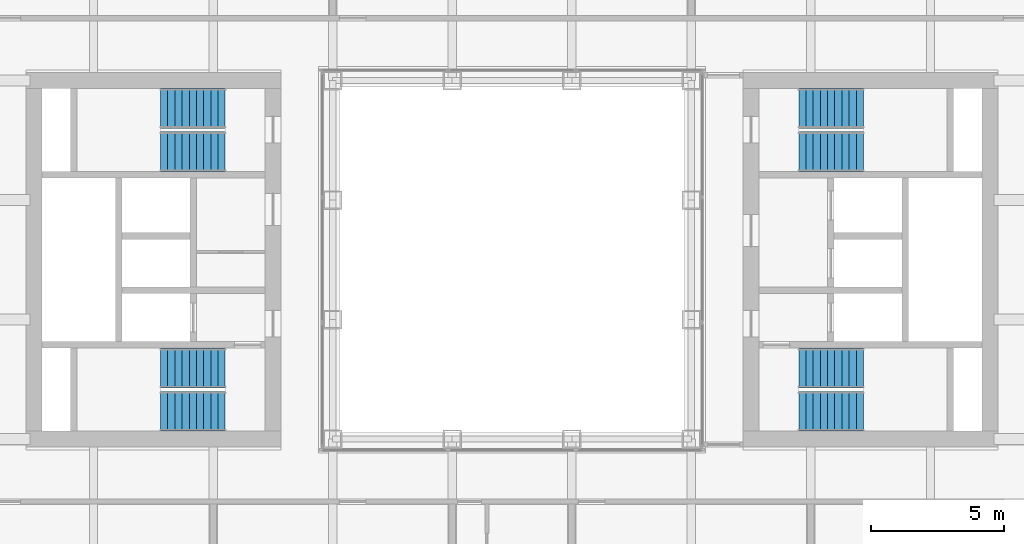
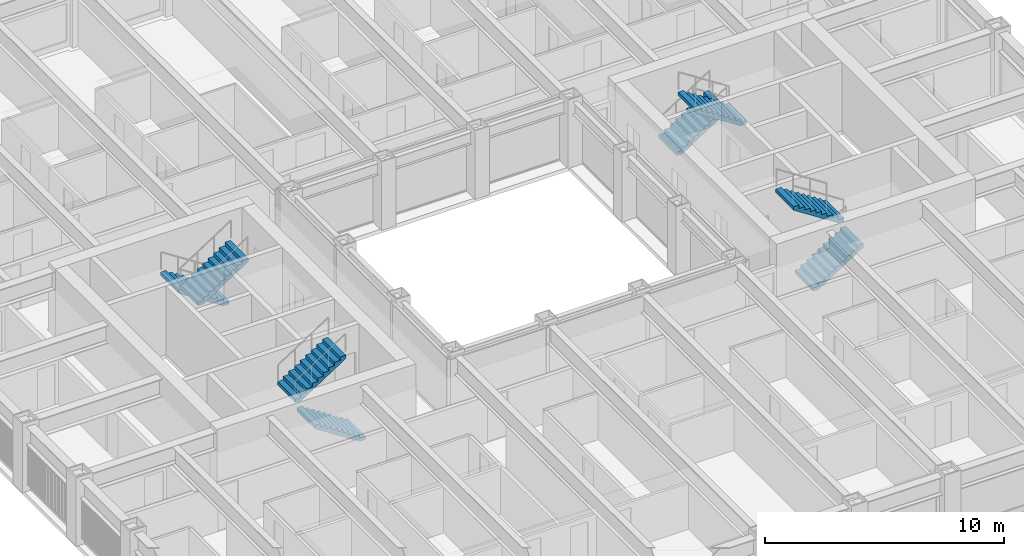
# One storey, part 16 of 21: 8 stair flights, 4 elements without a shape of their own.
"""IFC4 building model written with IfcOpenShell, lengths in metres."""

from ifc_helpers import new_model, si_unit, direction, frame, origin, place, context, subcontext, project, spatial, polyline, outline, extrude, material, type_object, element, aggregate, save


model = new_model("IFC4")

# Units and contexts
model_context = context("Model", 3, precision=1e-05, world=origin(), true_north=direction((0.0, 1.0)))
body_context = subcontext(model_context, "Body", "Model", "MODEL_VIEW")
ifc_project = project(units=[si_unit("LENGTHUNIT", "METRE"), si_unit("AREAUNIT", "SQUARE_METRE"), si_unit("VOLUMEUNIT", "CUBIC_METRE"), si_unit("PLANEANGLEUNIT", "RADIAN"), si_unit("MASSUNIT", "GRAM", prefix="KILO")], contexts=[model_context])

# Site, building, storey
site_placement = place(None, origin())
site = spatial("IfcSite", under=ifc_project, at=site_placement, CompositionType="ELEMENT")
building_placement = place(site_placement, origin())
building = spatial("IfcBuilding", under=site, at=building_placement, Name="Msasa Ring Tower", CompositionType="ELEMENT")
storey_placement = place(building_placement, frame((0.0, 0.0, 75.5)))
storey = spatial("IfcBuildingStorey", under=building, at=storey_placement, Name="L19", CompositionType="ELEMENT", Elevation=75.5)

# Stair, stair flights
ifc_material_1 = material(Name="Concrete C40/50", Category="concrete")
stair_type = type_object("IfcStairType", Name="STC CORE STAIR 20 RISERS 175", PredefinedType="HALF_TURN_STAIR", material=ifc_material_1)
stair_1_placement = place(storey_placement, origin())
stair_1 = element("IfcStair", 1, at=stair_1_placement, inside=storey, type_object=stair_type, Name="Core stair SEA L19", PredefinedType="HALF_TURN_STAIR")
ifc_material_2 = material(Name="Concrete C40/50", Category="concrete")
stair_flight_type = type_object("IfcStairFlightType", Name="ST12 CORE STAIR FLIGHT 1500 10 RISERS 175", PredefinedType="STRAIGHT", material=ifc_material_2)
stair_flight_1_placement = place(storey_placement, frame((10.800048828125, -5.699951171875, 0.0), z_axis=(0.0, 0.0, 1.0), x_axis=(1.0, 0.0, 0.0)))
stair_flight_1 = element("IfcStairFlight", 2, at=stair_flight_1_placement, type_object=stair_flight_type, Name="SEA flight 1", NumberOfRisers=10, NumberOfTreads=9, PredefinedType="STRAIGHT", RiserHeight=0.175, TreadLength=0.27, context=body_context, shape_type="SweptSolid", body=[
    extrude(outline(polyline([(0.0, 0.0), (0.0, 0.175048828125), (0.27001953125, 0.175048828125), (0.27001953125, 0.35009765625), (0.5400390625, 0.35009765625), (0.5400390625, 0.52490234375), (0.81005859375, 0.52490234375), (0.81005859375, 0.699951171875), (1.080078125, 0.699951171875), (1.080078125, 0.875), (1.35009765625, 0.875), (1.35009765625, 1.050048828125), (1.6201171875, 1.050048828125), (1.6201171875, 1.22509765625), (1.889892578125, 1.22509765625), (1.889892578125, 1.39990234375), (2.159912109375, 1.39990234375), (2.159912109375, 1.574951171875), (2.429931640625, 1.574951171875), (2.429931640625, 1.75), (2.429931640625, 1.396484375), (0.275634765625, 0.0), (0.0, 0.0)])), frame((0.0, 0.75, 0.0), z_axis=(0.0, -1.0, 0.0), x_axis=(1.0, 0.0, 0.0)), (0.0, 0.0, 1.0), 1.5),
])
stair_flight_2_placement = place(storey_placement, frame((13.22998046875, -4.074951171875, 1.75), z_axis=(0.0, 0.0, 1.0), x_axis=(-1.0, 0.0, 0.0)))
stair_flight_2 = element("IfcStairFlight", 3, at=stair_flight_2_placement, type_object=stair_flight_type, Name="SEA flight 2", NumberOfRisers=10, NumberOfTreads=9, PredefinedType="STRAIGHT", RiserHeight=0.175, TreadLength=0.27, context=body_context, shape_type="SweptSolid", body=[
    extrude(outline(polyline([(0.0, 0.0), (0.0, 0.175048828125), (0.27001953125, 0.175048828125), (0.27001953125, 0.35009765625), (0.5400390625, 0.35009765625), (0.5400390625, 0.52490234375), (0.81005859375, 0.52490234375), (0.81005859375, 0.699951171875), (1.080078125, 0.699951171875), (1.080078125, 0.875), (1.35009765625, 0.875), (1.35009765625, 1.050048828125), (1.6201171875, 1.050048828125), (1.6201171875, 1.22509765625), (1.889892578125, 1.22509765625), (1.889892578125, 1.39990234375), (2.159912109375, 1.39990234375), (2.159912109375, 1.574951171875), (2.429931640625, 1.574951171875), (2.429931640625, 1.75), (2.429931640625, 1.396484375), (0.275634765625, 0.0), (0.0, 0.0)])), frame((0.0, 0.75, 0.0), z_axis=(0.0, -1.0, 0.0), x_axis=(1.0, 0.0, 0.0)), (0.0, 0.0, 1.0), 1.5),
])
aggregate(stair_1, [stair_flight_1, stair_flight_2])

stair_2_placement = place(storey_placement, origin())
stair_2 = element("IfcStair", 4, at=stair_2_placement, inside=storey, type_object=stair_type, Name="Core stair SEB L19", PredefinedType="HALF_TURN_STAIR")
stair_flight_3_placement = place(storey_placement, frame((10.800048828125, 5.699951171875, 0.0), z_axis=(0.0, 0.0, 1.0), x_axis=(1.0, 0.0, 0.0)))
stair_flight_3 = element("IfcStairFlight", 5, at=stair_flight_3_placement, type_object=stair_flight_type, Name="SEB flight 1", NumberOfRisers=10, NumberOfTreads=9, PredefinedType="STRAIGHT", RiserHeight=0.175, TreadLength=0.27, context=body_context, shape_type="SweptSolid", body=[
    extrude(outline(polyline([(0.0, 0.0), (0.0, 0.175048828125), (0.27001953125, 0.175048828125), (0.27001953125, 0.35009765625), (0.5400390625, 0.35009765625), (0.5400390625, 0.52490234375), (0.81005859375, 0.52490234375), (0.81005859375, 0.699951171875), (1.080078125, 0.699951171875), (1.080078125, 0.875), (1.35009765625, 0.875), (1.35009765625, 1.050048828125), (1.6201171875, 1.050048828125), (1.6201171875, 1.22509765625), (1.889892578125, 1.22509765625), (1.889892578125, 1.39990234375), (2.159912109375, 1.39990234375), (2.159912109375, 1.574951171875), (2.429931640625, 1.574951171875), (2.429931640625, 1.75), (2.429931640625, 1.396484375), (0.275634765625, 0.0), (0.0, 0.0)])), frame((0.0, 0.75, 0.0), z_axis=(0.0, -1.0, 0.0), x_axis=(1.0, 0.0, 0.0)), (0.0, 0.0, 1.0), 1.5),
])
stair_flight_4_placement = place(storey_placement, frame((13.22998046875, 4.074951171875, 1.75), z_axis=(0.0, 0.0, 1.0), x_axis=(-1.0, 0.0, 0.0)))
stair_flight_4 = element("IfcStairFlight", 6, at=stair_flight_4_placement, type_object=stair_flight_type, Name="SEB flight 2", NumberOfRisers=10, NumberOfTreads=9, PredefinedType="STRAIGHT", RiserHeight=0.175, TreadLength=0.27, context=body_context, shape_type="SweptSolid", body=[
    extrude(outline(polyline([(0.0, 0.0), (0.0, 0.175048828125), (0.27001953125, 0.175048828125), (0.27001953125, 0.35009765625), (0.5400390625, 0.35009765625), (0.5400390625, 0.52490234375), (0.81005859375, 0.52490234375), (0.81005859375, 0.699951171875), (1.080078125, 0.699951171875), (1.080078125, 0.875), (1.35009765625, 0.875), (1.35009765625, 1.050048828125), (1.6201171875, 1.050048828125), (1.6201171875, 1.22509765625), (1.889892578125, 1.22509765625), (1.889892578125, 1.39990234375), (2.159912109375, 1.39990234375), (2.159912109375, 1.574951171875), (2.429931640625, 1.574951171875), (2.429931640625, 1.75), (2.429931640625, 1.396484375), (0.275634765625, 0.0), (0.0, 0.0)])), frame((0.0, 0.75, 0.0), z_axis=(0.0, -1.0, 0.0), x_axis=(1.0, 0.0, 0.0)), (0.0, 0.0, 1.0), 1.5),
])
aggregate(stair_2, [stair_flight_3, stair_flight_4])

stair_3_placement = place(storey_placement, origin())
stair_3 = element("IfcStair", 7, at=stair_3_placement, inside=storey, type_object=stair_type, Name="Core stair SWA L19", PredefinedType="HALF_TURN_STAIR")
stair_flight_5_placement = place(storey_placement, frame((-10.800048828125, -5.699951171875, 0.0), z_axis=(0.0, 0.0, 1.0), x_axis=(-1.0, 0.0, 0.0)))
stair_flight_5 = element("IfcStairFlight", 8, at=stair_flight_5_placement, type_object=stair_flight_type, Name="SWA flight 1", NumberOfRisers=10, NumberOfTreads=9, PredefinedType="STRAIGHT", RiserHeight=0.175, TreadLength=0.27, context=body_context, shape_type="SweptSolid", body=[
    extrude(outline(polyline([(0.0, 0.0), (0.0, 0.175048828125), (0.27001953125, 0.175048828125), (0.27001953125, 0.35009765625), (0.5400390625, 0.35009765625), (0.5400390625, 0.52490234375), (0.81005859375, 0.52490234375), (0.81005859375, 0.699951171875), (1.080078125, 0.699951171875), (1.080078125, 0.875), (1.35009765625, 0.875), (1.35009765625, 1.050048828125), (1.6201171875, 1.050048828125), (1.6201171875, 1.22509765625), (1.889892578125, 1.22509765625), (1.889892578125, 1.39990234375), (2.159912109375, 1.39990234375), (2.159912109375, 1.574951171875), (2.429931640625, 1.574951171875), (2.429931640625, 1.75), (2.429931640625, 1.396484375), (0.275634765625, 0.0), (0.0, 0.0)])), frame((0.0, 0.75, 0.0), z_axis=(0.0, -1.0, 0.0), x_axis=(1.0, 0.0, 0.0)), (0.0, 0.0, 1.0), 1.5),
])
stair_flight_6_placement = place(storey_placement, frame((-13.22998046875, -4.074951171875, 1.75), z_axis=(0.0, 0.0, 1.0), x_axis=(1.0, 0.0, 0.0)))
stair_flight_6 = element("IfcStairFlight", 9, at=stair_flight_6_placement, type_object=stair_flight_type, Name="SWA flight 2", NumberOfRisers=10, NumberOfTreads=9, PredefinedType="STRAIGHT", RiserHeight=0.175, TreadLength=0.27, context=body_context, shape_type="SweptSolid", body=[
    extrude(outline(polyline([(0.0, 0.0), (0.0, 0.175048828125), (0.27001953125, 0.175048828125), (0.27001953125, 0.35009765625), (0.5400390625, 0.35009765625), (0.5400390625, 0.52490234375), (0.81005859375, 0.52490234375), (0.81005859375, 0.699951171875), (1.080078125, 0.699951171875), (1.080078125, 0.875), (1.35009765625, 0.875), (1.35009765625, 1.050048828125), (1.6201171875, 1.050048828125), (1.6201171875, 1.22509765625), (1.889892578125, 1.22509765625), (1.889892578125, 1.39990234375), (2.159912109375, 1.39990234375), (2.159912109375, 1.574951171875), (2.429931640625, 1.574951171875), (2.429931640625, 1.75), (2.429931640625, 1.396484375), (0.275634765625, 0.0), (0.0, 0.0)])), frame((0.0, 0.75, 0.0), z_axis=(0.0, -1.0, 0.0), x_axis=(1.0, 0.0, 0.0)), (0.0, 0.0, 1.0), 1.5),
])
aggregate(stair_3, [stair_flight_5, stair_flight_6])

stair_4_placement = place(storey_placement, origin())
stair_4 = element("IfcStair", 10, at=stair_4_placement, inside=storey, type_object=stair_type, Name="Core stair SWB L19", PredefinedType="HALF_TURN_STAIR")
stair_flight_7_placement = place(storey_placement, frame((-10.800048828125, 5.699951171875, 0.0), z_axis=(0.0, 0.0, 1.0), x_axis=(-1.0, 0.0, 0.0)))
stair_flight_7 = element("IfcStairFlight", 11, at=stair_flight_7_placement, type_object=stair_flight_type, Name="SWB flight 1", NumberOfRisers=10, NumberOfTreads=9, PredefinedType="STRAIGHT", RiserHeight=0.175, TreadLength=0.27, context=body_context, shape_type="SweptSolid", body=[
    extrude(outline(polyline([(0.0, 0.0), (0.0, 0.175048828125), (0.27001953125, 0.175048828125), (0.27001953125, 0.35009765625), (0.5400390625, 0.35009765625), (0.5400390625, 0.52490234375), (0.81005859375, 0.52490234375), (0.81005859375, 0.699951171875), (1.080078125, 0.699951171875), (1.080078125, 0.875), (1.35009765625, 0.875), (1.35009765625, 1.050048828125), (1.6201171875, 1.050048828125), (1.6201171875, 1.22509765625), (1.889892578125, 1.22509765625), (1.889892578125, 1.39990234375), (2.159912109375, 1.39990234375), (2.159912109375, 1.574951171875), (2.429931640625, 1.574951171875), (2.429931640625, 1.75), (2.429931640625, 1.396484375), (0.275634765625, 0.0), (0.0, 0.0)])), frame((0.0, 0.75, 0.0), z_axis=(0.0, -1.0, 0.0), x_axis=(1.0, 0.0, 0.0)), (0.0, 0.0, 1.0), 1.5),
])
stair_flight_8_placement = place(storey_placement, frame((-13.22998046875, 4.074951171875, 1.75), z_axis=(0.0, 0.0, 1.0), x_axis=(1.0, 0.0, 0.0)))
stair_flight_8 = element("IfcStairFlight", 12, at=stair_flight_8_placement, type_object=stair_flight_type, Name="SWB flight 2", NumberOfRisers=10, NumberOfTreads=9, PredefinedType="STRAIGHT", RiserHeight=0.175, TreadLength=0.27, context=body_context, shape_type="SweptSolid", body=[
    extrude(outline(polyline([(0.0, 0.0), (0.0, 0.175048828125), (0.27001953125, 0.175048828125), (0.27001953125, 0.35009765625), (0.5400390625, 0.35009765625), (0.5400390625, 0.52490234375), (0.81005859375, 0.52490234375), (0.81005859375, 0.699951171875), (1.080078125, 0.699951171875), (1.080078125, 0.875), (1.35009765625, 0.875), (1.35009765625, 1.050048828125), (1.6201171875, 1.050048828125), (1.6201171875, 1.22509765625), (1.889892578125, 1.22509765625), (1.889892578125, 1.39990234375), (2.159912109375, 1.39990234375), (2.159912109375, 1.574951171875), (2.429931640625, 1.574951171875), (2.429931640625, 1.75), (2.429931640625, 1.396484375), (0.275634765625, 0.0), (0.0, 0.0)])), frame((0.0, 0.75, 0.0), z_axis=(0.0, -1.0, 0.0), x_axis=(1.0, 0.0, 0.0)), (0.0, 0.0, 1.0), 1.5),
])
aggregate(stair_4, [stair_flight_7, stair_flight_8])

save(model, "model.ifc")
